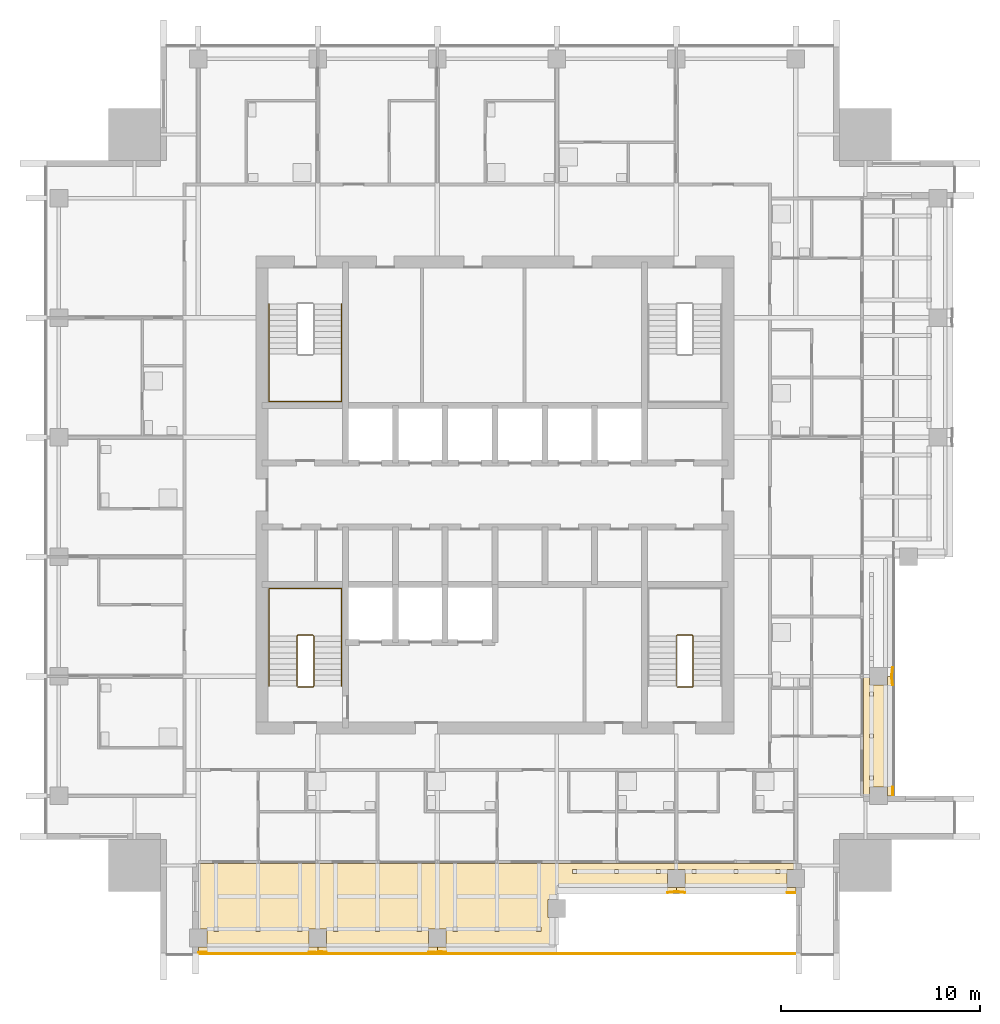
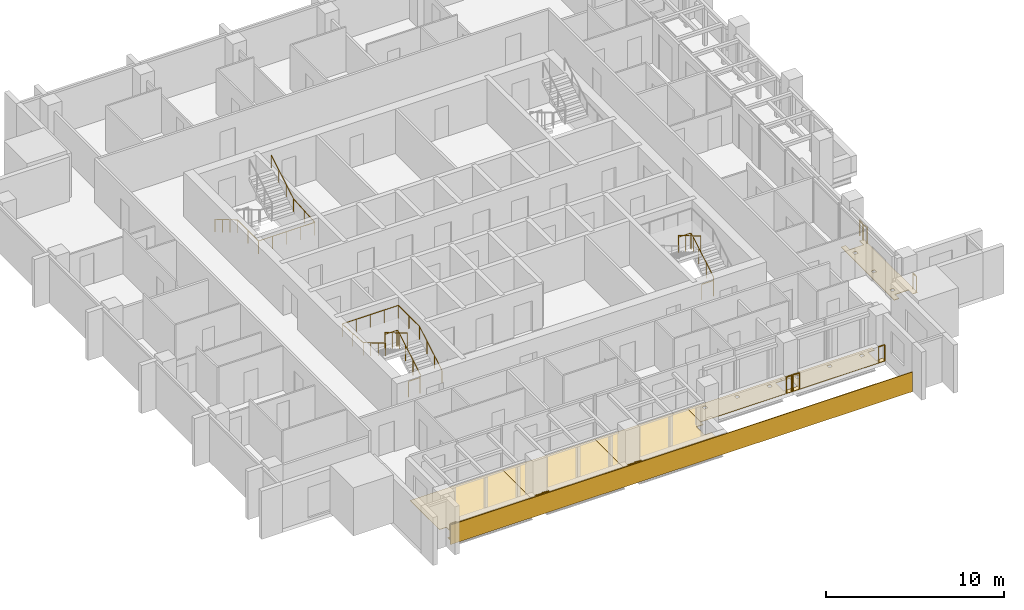
# One storey, part 15 of 17: 15 railings, 7 coverings.
"""IFC4 building model written with IfcOpenShell, lengths in metres."""

from ifc_helpers import new_model, si_unit, direction, frame, origin, origin_2d, place, context, subcontext, project, spatial, polyline, circle, outline, extrude, material, layer, layer_set, type_object, element, save


model = new_model("IFC4")

# Units and contexts
model_context = context("Model", 3, precision=1e-05, world=origin(), true_north=direction((0.0, 1.0)))
body_context = subcontext(model_context, "Body", "Model", "MODEL_VIEW")
ifc_project = project(units=[si_unit("LENGTHUNIT", "METRE"), si_unit("AREAUNIT", "SQUARE_METRE"), si_unit("VOLUMEUNIT", "CUBIC_METRE"), si_unit("PLANEANGLEUNIT", "RADIAN"), si_unit("MASSUNIT", "GRAM", prefix="KILO")], contexts=[model_context])

# Site, building, storey
site_placement = place(None, origin())
site = spatial("IfcSite", under=ifc_project, at=site_placement, CompositionType="ELEMENT")
building_placement = place(site_placement, origin())
building = spatial("IfcBuilding", under=site, at=building_placement, Name="Amberfall Residences", CompositionType="ELEMENT")
storey_placement = place(building_placement, frame((0.0, 0.0, 216.699951171875)))
storey = spatial("IfcBuildingStorey", under=building, at=storey_placement, Name="L58", CompositionType="ELEMENT", Elevation=216.699951171875)

# Coverings
ifc_material_1 = material(Name="Pale limestone cladding", Category="masonry")
ifc_layer_1 = layer(ifc_material_1, 0.050048828125)
ifc_layer_set_1 = layer_set([ifc_layer_1], Name="Limestone fascia 50")
covering_type_1 = type_object("IfcCoveringType", Name="Limestone fascia 50", PredefinedType="CLADDING", material=ifc_layer_set_1)
covering_1_placement = place(storey_placement, frame((0.0, 0.0, -0.25)))
element("IfcCovering", 1, at=covering_1_placement, inside=storey, type_object=covering_type_1, Name="Limestone terrace fascia L58 S1", PredefinedType="CLADDING", context=body_context, shape_type="SweptSolid", body=[
    extrude(outline(polyline([(59.60009765625, 22.5), (89.60009765625, 22.5), (89.60009765625, 22.449951171875), (59.60009765625, 22.449951171875), (59.60009765625, 22.5)])), origin(), (0.0, 0.0, 1.0), 1.35009765625),
])
ifc_material_2 = material(Name="Pale stone paving", Category="masonry")
ifc_layer_2 = layer(ifc_material_2, 0.030029296875)
ifc_layer_set_2 = layer_set([ifc_layer_2], Name="Pale stone paving 30")
covering_type_2 = type_object("IfcCoveringType", Name="Pale stone paving 30", PredefinedType="FLOORING", material=ifc_layer_set_2)
covering_2_placement = place(storey_placement, origin())
element("IfcCovering", 2, at=covering_2_placement, inside=storey, type_object=covering_type_2, Name="Pale stone paving L58 S1", PredefinedType="FLOORING", context=body_context, shape_type="SweptSolid", body=[
    extrude(outline(polyline([(65.60009765625, 22.5), (65.60009765625, 22.800048828125), (65.14990234375, 22.800048828125), (65.14990234375, 23.699951171875), (65.60009765625, 23.699951171875), (65.60009765625, 27.0), (59.60009765625, 27.0), (59.60009765625, 23.699951171875), (60.050048828125, 23.699951171875), (60.050048828125, 22.800048828125), (59.60009765625, 22.800048828125), (59.60009765625, 22.5), (65.60009765625, 22.5)]), holes=[polyline([(60.389892578125, 23.590087890625), (60.610107421875, 23.590087890625), (60.610107421875, 23.81005859375), (60.389892578125, 23.81005859375), (60.389892578125, 23.590087890625)]), polyline([(62.489990234375, 23.590087890625), (62.7099609375, 23.590087890625), (62.7099609375, 23.81005859375), (62.489990234375, 23.81005859375), (62.489990234375, 23.590087890625)]), polyline([(64.590087890625, 23.590087890625), (64.81005859375, 23.590087890625), (64.81005859375, 23.81005859375), (64.590087890625, 23.81005859375), (64.590087890625, 23.590087890625)])]), origin(), (0.0, 0.0, 1.0), 0.030029296875),
])
covering_3_placement = place(storey_placement, origin())
element("IfcCovering", 3, at=covering_3_placement, inside=storey, type_object=covering_type_2, Name="Pale stone paving L58 S2", PredefinedType="FLOORING", context=body_context, shape_type="SweptSolid", body=[
    extrude(outline(polyline([(71.60009765625, 22.5), (71.60009765625, 22.800048828125), (71.14990234375, 22.800048828125), (71.14990234375, 23.699951171875), (71.60009765625, 23.699951171875), (71.60009765625, 27.0), (65.60009765625, 27.0), (65.60009765625, 23.699951171875), (66.050048828125, 23.699951171875), (66.050048828125, 22.800048828125), (65.60009765625, 22.800048828125), (65.60009765625, 22.5), (71.60009765625, 22.5)]), holes=[polyline([(66.389892578125, 23.590087890625), (66.610107421875, 23.590087890625), (66.610107421875, 23.81005859375), (66.389892578125, 23.81005859375), (66.389892578125, 23.590087890625)]), polyline([(68.489990234375, 23.590087890625), (68.7099609375, 23.590087890625), (68.7099609375, 23.81005859375), (68.489990234375, 23.81005859375), (68.489990234375, 23.590087890625)]), polyline([(70.590087890625, 23.590087890625), (70.81005859375, 23.590087890625), (70.81005859375, 23.81005859375), (70.590087890625, 23.81005859375), (70.590087890625, 23.590087890625)])]), origin(), (0.0, 0.0, 1.0), 0.030029296875),
])
covering_4_placement = place(storey_placement, origin())
element("IfcCovering", 4, at=covering_4_placement, inside=storey, type_object=covering_type_2, Name="Pale stone paving L58 S3", PredefinedType="FLOORING", context=body_context, shape_type="SweptSolid", body=[
    extrude(outline(polyline([(77.60009765625, 22.5), (77.60009765625, 24.300048828125), (77.14990234375, 24.300048828125), (77.14990234375, 25.199951171875), (77.60009765625, 25.199951171875), (77.60009765625, 27.0), (71.60009765625, 27.0), (71.60009765625, 23.699951171875), (72.050048828125, 23.699951171875), (72.050048828125, 22.800048828125), (71.60009765625, 22.800048828125), (71.60009765625, 22.5), (77.60009765625, 22.5)]), holes=[polyline([(72.389892578125, 23.590087890625), (72.610107421875, 23.590087890625), (72.610107421875, 23.81005859375), (72.389892578125, 23.81005859375), (72.389892578125, 23.590087890625)]), polyline([(74.489990234375, 23.590087890625), (74.7099609375, 23.590087890625), (74.7099609375, 23.81005859375), (74.489990234375, 23.81005859375), (74.489990234375, 23.590087890625)]), polyline([(76.590087890625, 23.590087890625), (76.81005859375, 23.590087890625), (76.81005859375, 23.81005859375), (76.590087890625, 23.81005859375), (76.590087890625, 23.590087890625)])]), origin(), (0.0, 0.0, 1.0), 0.030029296875),
])
covering_5_placement = place(storey_placement, origin())
element("IfcCovering", 5, at=covering_5_placement, inside=storey, type_object=covering_type_2, Name="Pale stone paving L58 S4", PredefinedType="FLOORING", context=body_context, shape_type="SweptSolid", body=[
    extrude(outline(polyline([(83.60009765625, 27.0), (77.60009765625, 27.0), (77.60009765625, 25.5), (83.60009765625, 25.5), (83.60009765625, 25.800048828125), (83.14990234375, 25.800048828125), (83.14990234375, 26.699951171875), (83.60009765625, 26.699951171875), (83.60009765625, 27.0)]), holes=[polyline([(78.389892578125, 26.489990234375), (78.610107421875, 26.489990234375), (78.610107421875, 26.7099609375), (78.389892578125, 26.7099609375), (78.389892578125, 26.489990234375)]), polyline([(80.489990234375, 26.489990234375), (80.7099609375, 26.489990234375), (80.7099609375, 26.7099609375), (80.489990234375, 26.7099609375), (80.489990234375, 26.489990234375)]), polyline([(82.590087890625, 26.489990234375), (82.81005859375, 26.489990234375), (82.81005859375, 26.7099609375), (82.590087890625, 26.7099609375), (82.590087890625, 26.489990234375)])]), origin(), (0.0, 0.0, 1.0), 0.030029296875),
])
covering_6_placement = place(storey_placement, origin())
element("IfcCovering", 6, at=covering_6_placement, inside=storey, type_object=covering_type_2, Name="Pale stone paving L58 S5", PredefinedType="FLOORING", context=body_context, shape_type="SweptSolid", body=[
    extrude(outline(polyline([(89.60009765625, 27.0), (83.60009765625, 27.0), (83.60009765625, 26.699951171875), (84.050048828125, 26.699951171875), (84.050048828125, 25.800048828125), (83.60009765625, 25.800048828125), (83.60009765625, 25.5), (89.60009765625, 25.5), (89.60009765625, 25.800048828125), (89.14990234375, 25.800048828125), (89.14990234375, 26.699951171875), (89.60009765625, 26.699951171875), (89.60009765625, 27.0)]), holes=[polyline([(84.389892578125, 26.489990234375), (84.610107421875, 26.489990234375), (84.610107421875, 26.7099609375), (84.389892578125, 26.7099609375), (84.389892578125, 26.489990234375)]), polyline([(86.489990234375, 26.489990234375), (86.7099609375, 26.489990234375), (86.7099609375, 26.7099609375), (86.489990234375, 26.7099609375), (86.489990234375, 26.489990234375)]), polyline([(88.590087890625, 26.489990234375), (88.81005859375, 26.489990234375), (88.81005859375, 26.7099609375), (88.590087890625, 26.7099609375), (88.590087890625, 26.489990234375)])]), origin(), (0.0, 0.0, 1.0), 0.030029296875),
])
covering_7_placement = place(storey_placement, origin())
element("IfcCovering", 7, at=covering_7_placement, inside=storey, type_object=covering_type_2, Name="Pale stone paving L58 E1", PredefinedType="FLOORING", context=body_context, shape_type="SweptSolid", body=[
    extrude(outline(polyline([(93.0, 36.39990234375), (93.0, 30.39990234375), (93.300048828125, 30.39990234375), (93.300048828125, 30.85009765625), (94.199951171875, 30.85009765625), (94.199951171875, 30.39990234375), (94.5, 30.39990234375), (94.5, 36.39990234375), (94.199951171875, 36.39990234375), (94.199951171875, 35.949951171875), (93.300048828125, 35.949951171875), (93.300048828125, 36.39990234375), (93.0, 36.39990234375)]), holes=[polyline([(93.2900390625, 31.18994140625), (93.510009765625, 31.18994140625), (93.510009765625, 31.409912109375), (93.2900390625, 31.409912109375), (93.2900390625, 31.18994140625)]), polyline([(93.2900390625, 33.2900390625), (93.510009765625, 33.2900390625), (93.510009765625, 33.510009765625), (93.2900390625, 33.510009765625), (93.2900390625, 33.2900390625)]), polyline([(93.2900390625, 35.389892578125), (93.510009765625, 35.389892578125), (93.510009765625, 35.610107421875), (93.2900390625, 35.610107421875), (93.2900390625, 35.389892578125)])]), origin(), (0.0, 0.0, 1.0), 0.030029296875),
])

# Railings
ifc_material_3 = material(Name="Stainless steel 316", Category="steel")
railing_type_1 = type_object("IfcRailingType", Name="Stair guard 1100", PredefinedType="GUARDRAIL", material=ifc_material_3)
railing_1_placement = place(storey_placement, frame((64.60009765625, 35.85009765625, 0.0)))
element("IfcRailing", 8, at=railing_1_placement, inside=storey, type_object=railing_type_1, Name="L58 stair 1 guard", PredefinedType="GUARDRAIL", context=body_context, shape_type="SweptSolid", body=[
    extrude(circle(Radius=0.02392578125, at=origin_2d()), frame((0.0, 0.0, 1.076171875), z_axis=(1.0, 0.0, 0.0), x_axis=(0.0, 1.0, 0.0)), (0.0, 0.0, 1.0), 0.75),
    extrude(circle(Radius=0.02392578125, at=origin_2d()), frame((0.75, 0.0, 1.076171875), z_axis=(0.27755538755, 0.27755538755, 0.919742362667), x_axis=(-0.707106781187, 0.707106781187, 0.0)), (0.0, 0.0, 1.0), 0.179443359375),
    extrude(circle(Radius=0.02392578125, at=origin_2d()), frame((0.7998046875, 0.0498046875, 1.2412109375), z_axis=(0.0, 0.86152411907, 0.507716645641), x_axis=(-1.0, 0.0, 0.0)), (0.0, 0.0, 1.0), 2.925048828125),
    extrude(circle(Radius=0.02392578125, at=origin_2d()), frame((0.7998046875, 2.56982421875, 2.72607421875), z_axis=(-0.705375805398, 0.708833529934, 0.0), x_axis=(-0.708833529934, -0.705375805398, 0.0)), (0.0, 0.0, 1.0), 0.070556640625),
    extrude(circle(Radius=0.02392578125, at=origin_2d()), frame((0.75, 2.619873046875, 2.72607421875), z_axis=(-1.0, 0.0, 0.0), x_axis=(0.0, -1.0, 0.0)), (0.0, 0.0, 1.0), 0.75),
    extrude(circle(Radius=0.02392578125, at=origin_2d()), frame((0.0, 2.619873046875, 2.72607421875), z_axis=(-0.279053652268, -0.279053652268, 0.918835196492), x_axis=(0.707106781187, -0.707106781187, 0.0)), (0.0, 0.0, 1.0), 0.179443359375),
    extrude(circle(Radius=0.02392578125, at=origin_2d()), frame((-0.050048828125, 2.56982421875, 2.89111328125), z_axis=(0.0, -0.86152411907, 0.507716645641), x_axis=(1.0, 0.0, 0.0)), (0.0, 0.0, 1.0), 2.925048828125),
    extrude(circle(Radius=0.02099609375, at=origin_2d()), origin(), (0.0, 0.0, 1.0), 1.052001953125),
    extrude(circle(Radius=0.02099609375, at=origin_2d()), frame((0.75, 0.0, 0.0)), (0.0, 0.0, 1.0), 1.052001953125),
    extrude(circle(Radius=0.02099609375, at=origin_2d()), frame((0.7998046875, 0.0498046875, 0.1650390625)), (0.0, 0.0, 1.0), 1.052001953125),
    extrude(circle(Radius=0.02099609375, at=origin_2d()), frame((0.7998046875, 0.889892578125, 0.66015625)), (0.0, 0.0, 1.0), 1.052001953125),
    extrude(circle(Radius=0.02099609375, at=origin_2d()), frame((0.7998046875, 1.729736328125, 1.155029296875)), (0.0, 0.0, 1.0), 1.052001953125),
    extrude(circle(Radius=0.02099609375, at=origin_2d()), frame((0.7998046875, 2.56982421875, 1.650146484375)), (0.0, 0.0, 1.0), 1.052001953125),
    extrude(circle(Radius=0.02099609375, at=origin_2d()), frame((0.75, 2.619873046875, 1.650146484375)), (0.0, 0.0, 1.0), 1.052001953125),
    extrude(circle(Radius=0.02099609375, at=origin_2d()), frame((0.0, 2.619873046875, 1.650146484375)), (0.0, 0.0, 1.0), 1.052001953125),
    extrude(circle(Radius=0.02099609375, at=origin_2d()), frame((-0.050048828125, 2.56982421875, 1.81494140625)), (0.0, 0.0, 1.0), 1.052001953125),
    extrude(circle(Radius=0.02099609375, at=origin_2d()), frame((-0.050048828125, 1.729736328125, 2.31005859375)), (0.0, 0.0, 1.0), 1.052001953125),
    extrude(circle(Radius=0.02099609375, at=origin_2d()), frame((-0.050048828125, 0.889892578125, 2.804931640625)), (0.0, 0.0, 1.0), 1.052001953125),
    extrude(circle(Radius=0.02099609375, at=origin_2d()), frame((-0.050048828125, 0.0498046875, 3.300048828125)), (0.0, 0.0, 1.0), 1.052001953125),
])
railing_2_placement = place(storey_placement, frame((83.64990234375, 35.85009765625, 0.0)))
element("IfcRailing", 9, at=railing_2_placement, inside=storey, type_object=railing_type_1, Name="L58 stair 2 guard", PredefinedType="GUARDRAIL", context=body_context, shape_type="SweptSolid", body=[
    extrude(circle(Radius=0.02392578125, at=origin_2d()), frame((0.0, 0.0, 1.076171875), z_axis=(1.0, 0.0, 0.0), x_axis=(0.0, 1.0, 0.0)), (0.0, 0.0, 1.0), 0.75),
    extrude(circle(Radius=0.02392578125, at=origin_2d()), frame((0.75, 0.0, 1.076171875), z_axis=(0.278810427259, 0.277450376394, 0.919394384522), x_axis=(-0.705375805398, 0.708833529934, 0.0)), (0.0, 0.0, 1.0), 0.179443359375),
    extrude(circle(Radius=0.02392578125, at=origin_2d()), frame((0.800048828125, 0.0498046875, 1.2412109375), z_axis=(0.0, 0.86152411907, 0.507716645641), x_axis=(-1.0, 0.0, 0.0)), (0.0, 0.0, 1.0), 2.925048828125),
    extrude(circle(Radius=0.02392578125, at=origin_2d()), frame((0.800048828125, 2.56982421875, 2.72607421875), z_axis=(-0.707106781187, 0.707106781187, 0.0), x_axis=(-0.707106781187, -0.707106781187, 0.0)), (0.0, 0.0, 1.0), 0.07080078125),
    extrude(circle(Radius=0.02392578125, at=origin_2d()), frame((0.75, 2.619873046875, 2.72607421875), z_axis=(-1.0, 0.0, 0.0), x_axis=(0.0, -1.0, 0.0)), (0.0, 0.0, 1.0), 0.75),
    extrude(circle(Radius=0.02392578125, at=origin_2d()), frame((0.0, 2.619873046875, 2.72607421875), z_axis=(-0.277797701265, -0.279159454702, 0.919183570361), x_axis=(0.708833529934, -0.705375805398, 0.0)), (0.0, 0.0, 1.0), 0.17919921875),
    extrude(circle(Radius=0.02392578125, at=origin_2d()), frame((-0.0498046875, 2.56982421875, 2.89111328125), z_axis=(0.0, -0.86152411907, 0.507716645641), x_axis=(1.0, 0.0, 0.0)), (0.0, 0.0, 1.0), 2.925048828125),
    extrude(circle(Radius=0.02099609375, at=origin_2d()), origin(), (0.0, 0.0, 1.0), 1.052001953125),
    extrude(circle(Radius=0.02099609375, at=origin_2d()), frame((0.75, 0.0, 0.0)), (0.0, 0.0, 1.0), 1.052001953125),
    extrude(circle(Radius=0.02099609375, at=origin_2d()), frame((0.800048828125, 0.0498046875, 0.1650390625)), (0.0, 0.0, 1.0), 1.052001953125),
    extrude(circle(Radius=0.02099609375, at=origin_2d()), frame((0.800048828125, 0.889892578125, 0.66015625)), (0.0, 0.0, 1.0), 1.052001953125),
    extrude(circle(Radius=0.02099609375, at=origin_2d()), frame((0.800048828125, 1.729736328125, 1.155029296875)), (0.0, 0.0, 1.0), 1.052001953125),
    extrude(circle(Radius=0.02099609375, at=origin_2d()), frame((0.800048828125, 2.56982421875, 1.650146484375)), (0.0, 0.0, 1.0), 1.052001953125),
    extrude(circle(Radius=0.02099609375, at=origin_2d()), frame((0.75, 2.619873046875, 1.650146484375)), (0.0, 0.0, 1.0), 1.052001953125),
    extrude(circle(Radius=0.02099609375, at=origin_2d()), frame((0.0, 2.619873046875, 1.650146484375)), (0.0, 0.0, 1.0), 1.052001953125),
    extrude(circle(Radius=0.02099609375, at=origin_2d()), frame((-0.0498046875, 2.56982421875, 1.81494140625)), (0.0, 0.0, 1.0), 1.052001953125),
    extrude(circle(Radius=0.02099609375, at=origin_2d()), frame((-0.0498046875, 1.729736328125, 2.31005859375)), (0.0, 0.0, 1.0), 1.052001953125),
    extrude(circle(Radius=0.02099609375, at=origin_2d()), frame((-0.0498046875, 0.889892578125, 2.804931640625)), (0.0, 0.0, 1.0), 1.052001953125),
    extrude(circle(Radius=0.02099609375, at=origin_2d()), frame((-0.0498046875, 0.0498046875, 3.300048828125)), (0.0, 0.0, 1.0), 1.052001953125),
])
railing_type_2 = type_object("IfcRailingType", Name="Stair handrail 900", PredefinedType="HANDRAIL", material=ifc_material_3)
railing_3_placement = place(storey_placement, frame((66.800048828125, 35.89990234375, 0.1650390625)))
element("IfcRailing", 10, at=railing_3_placement, inside=storey, type_object=railing_type_2, Name="L58 stair 1 handrail", PredefinedType="HANDRAIL", context=body_context, shape_type="SweptSolid", body=[
    extrude(circle(Radius=0.02392578125, at=origin_2d()), frame((0.0, 0.0, 0.8759765625), z_axis=(0.0, 0.86152411907, 0.507716645641), x_axis=(-1.0, 0.0, 0.0)), (0.0, 0.0, 1.0), 2.925048828125),
    extrude(circle(Radius=0.02392578125, at=origin_2d()), frame((0.0, 2.52001953125, 2.36083984375), z_axis=(0.0, 1.0, 0.0), x_axis=(-1.0, 0.0, 0.0)), (0.0, 0.0, 1.0), 2.380126953125),
    extrude(circle(Radius=0.02392578125, at=origin_2d()), frame((0.0, 4.900146484375, 2.36083984375), z_axis=(-1.0, 0.0, 0.0), x_axis=(0.0, -1.0, 0.0)), (0.0, 0.0, 1.0), 3.650146484375),
    extrude(circle(Radius=0.02392578125, at=origin_2d()), frame((-3.650146484375, 4.900146484375, 2.36083984375), z_axis=(0.0, -0.997611642348, 0.069072505753), x_axis=(1.0, 0.0, 0.0)), (0.0, 0.0, 1.0), 2.3857421875),
    extrude(circle(Radius=0.02392578125, at=origin_2d()), frame((-3.650146484375, 2.52001953125, 2.52587890625), z_axis=(0.0, -0.86152411907, 0.507716645641), x_axis=(1.0, 0.0, 0.0)), (0.0, 0.0, 1.0), 2.925048828125),
    extrude(circle(Radius=0.02099609375, at=origin_2d()), origin(), (0.0, 0.0, 1.0), 0.851806640625),
    extrude(circle(Radius=0.02099609375, at=origin_2d()), frame((0.0, 0.840087890625, 0.4951171875)), (0.0, 0.0, 1.0), 0.851806640625),
    extrude(circle(Radius=0.02099609375, at=origin_2d()), frame((0.0, 1.679931640625, 0.989990234375)), (0.0, 0.0, 1.0), 0.851806640625),
    extrude(circle(Radius=0.02099609375, at=origin_2d()), frame((0.0, 2.52001953125, 1.485107421875)), (0.0, 0.0, 1.0), 0.851806640625),
    extrude(circle(Radius=0.02099609375, at=origin_2d()), frame((0.0, 3.7099609375, 1.485107421875)), (0.0, 0.0, 1.0), 0.851806640625),
    extrude(circle(Radius=0.02099609375, at=origin_2d()), frame((0.0, 4.900146484375, 1.485107421875)), (0.0, 0.0, 1.0), 0.851806640625),
    extrude(circle(Radius=0.02099609375, at=origin_2d()), frame((-0.91259765625, 4.900146484375, 1.485107421875)), (0.0, 0.0, 1.0), 0.851806640625),
    extrude(circle(Radius=0.02099609375, at=origin_2d()), frame((-1.8251953125, 4.900146484375, 1.485107421875)), (0.0, 0.0, 1.0), 0.851806640625),
    extrude(circle(Radius=0.02099609375, at=origin_2d()), frame((-2.737548828125, 4.900146484375, 1.485107421875)), (0.0, 0.0, 1.0), 0.851806640625),
    extrude(circle(Radius=0.02099609375, at=origin_2d()), frame((-3.650146484375, 4.900146484375, 1.485107421875)), (0.0, 0.0, 1.0), 0.851806640625),
    extrude(circle(Radius=0.02099609375, at=origin_2d()), frame((-3.650146484375, 3.7099609375, 1.5673828125)), (0.0, 0.0, 1.0), 0.851806640625),
    extrude(circle(Radius=0.02099609375, at=origin_2d()), frame((-3.650146484375, 2.52001953125, 1.64990234375)), (0.0, 0.0, 1.0), 0.851806640625),
    extrude(circle(Radius=0.02099609375, at=origin_2d()), frame((-3.650146484375, 1.679931640625, 2.14501953125)), (0.0, 0.0, 1.0), 0.851806640625),
    extrude(circle(Radius=0.02099609375, at=origin_2d()), frame((-3.650146484375, 0.840087890625, 2.639892578125)), (0.0, 0.0, 1.0), 0.851806640625),
    extrude(circle(Radius=0.02099609375, at=origin_2d()), frame((-3.650146484375, 0.0, 3.135009765625)), (0.0, 0.0, 1.0), 0.851806640625),
])
railing_4_placement = place(storey_placement, frame((63.14990234375, 55.10009765625, 0.1650390625)))
element("IfcRailing", 11, at=railing_4_placement, inside=storey, type_object=railing_type_2, Name="L58 stair 4 handrail", PredefinedType="HANDRAIL", context=body_context, shape_type="SweptSolid", body=[
    extrude(circle(Radius=0.02392578125, at=origin_2d()), frame((0.0, 0.0, 0.8759765625), z_axis=(0.0, -0.86152411907, 0.507716645641), x_axis=(1.0, 0.0, 0.0)), (0.0, 0.0, 1.0), 2.925048828125),
    extrude(circle(Radius=0.02392578125, at=origin_2d()), frame((0.0, -2.52001953125, 2.36083984375), z_axis=(0.0, -1.0, 0.0), x_axis=(1.0, 0.0, 0.0)), (0.0, 0.0, 1.0), 2.380126953125),
    extrude(circle(Radius=0.02392578125, at=origin_2d()), frame((0.0, -4.900146484375, 2.36083984375), z_axis=(1.0, 0.0, 0.0), x_axis=(0.0, 1.0, 0.0)), (0.0, 0.0, 1.0), 3.650146484375),
    extrude(circle(Radius=0.02392578125, at=origin_2d()), frame((3.650146484375, -4.900146484375, 2.36083984375), z_axis=(0.0, 0.997611642348, 0.069072505753), x_axis=(-1.0, 0.0, 0.0)), (0.0, 0.0, 1.0), 2.3857421875),
    extrude(circle(Radius=0.02392578125, at=origin_2d()), frame((3.650146484375, -2.52001953125, 2.52587890625), z_axis=(0.0, 0.86152411907, 0.507716645641), x_axis=(-1.0, 0.0, 0.0)), (0.0, 0.0, 1.0), 2.925048828125),
    extrude(circle(Radius=0.02099609375, at=origin_2d()), origin(), (0.0, 0.0, 1.0), 0.851806640625),
    extrude(circle(Radius=0.02099609375, at=origin_2d()), frame((0.0, -0.840087890625, 0.4951171875)), (0.0, 0.0, 1.0), 0.851806640625),
    extrude(circle(Radius=0.02099609375, at=origin_2d()), frame((0.0, -1.679931640625, 0.989990234375)), (0.0, 0.0, 1.0), 0.851806640625),
    extrude(circle(Radius=0.02099609375, at=origin_2d()), frame((0.0, -2.52001953125, 1.485107421875)), (0.0, 0.0, 1.0), 0.851806640625),
    extrude(circle(Radius=0.02099609375, at=origin_2d()), frame((0.0, -3.7099609375, 1.485107421875)), (0.0, 0.0, 1.0), 0.851806640625),
    extrude(circle(Radius=0.02099609375, at=origin_2d()), frame((0.0, -4.900146484375, 1.485107421875)), (0.0, 0.0, 1.0), 0.851806640625),
    extrude(circle(Radius=0.02099609375, at=origin_2d()), frame((0.91259765625, -4.900146484375, 1.485107421875)), (0.0, 0.0, 1.0), 0.851806640625),
    extrude(circle(Radius=0.02099609375, at=origin_2d()), frame((1.8251953125, -4.900146484375, 1.485107421875)), (0.0, 0.0, 1.0), 0.851806640625),
    extrude(circle(Radius=0.02099609375, at=origin_2d()), frame((2.737548828125, -4.900146484375, 1.485107421875)), (0.0, 0.0, 1.0), 0.851806640625),
    extrude(circle(Radius=0.02099609375, at=origin_2d()), frame((3.650146484375, -4.900146484375, 1.485107421875)), (0.0, 0.0, 1.0), 0.851806640625),
    extrude(circle(Radius=0.02099609375, at=origin_2d()), frame((3.650146484375, -3.7099609375, 1.5673828125)), (0.0, 0.0, 1.0), 0.851806640625),
    extrude(circle(Radius=0.02099609375, at=origin_2d()), frame((3.650146484375, -2.52001953125, 1.64990234375)), (0.0, 0.0, 1.0), 0.851806640625),
    extrude(circle(Radius=0.02099609375, at=origin_2d()), frame((3.650146484375, -1.679931640625, 2.14501953125)), (0.0, 0.0, 1.0), 0.851806640625),
    extrude(circle(Radius=0.02099609375, at=origin_2d()), frame((3.650146484375, -0.840087890625, 2.639892578125)), (0.0, 0.0, 1.0), 0.851806640625),
    extrude(circle(Radius=0.02099609375, at=origin_2d()), frame((3.650146484375, 0.0, 3.135009765625)), (0.0, 0.0, 1.0), 0.851806640625),
])
ifc_material_4 = material(Name="Bronze anodised aluminium and laminated glass", Category="aluminium")
railing_type_3 = type_object("IfcRailingType", Name="Terrace edge guard 1100", PredefinedType="GUARDRAIL", material=ifc_material_4)
railing_5_placement = place(storey_placement, frame((59.630615234375, 22.531494140625, 0.030029296875)))
element("IfcRailing", 12, at=railing_5_placement, inside=storey, type_object=railing_type_3, Name="Terrace guard L58 S1", PredefinedType="GUARDRAIL", context=body_context, shape_type="SweptSolid", body=[
    extrude(circle(Radius=0.02392578125, at=origin_2d()), frame((0.0, 0.0, 1.076171875), z_axis=(0.999755047003, 0.022132464671, 0.0), x_axis=(-0.022132464671, 0.999755047003, 0.0)), (0.0, 0.0, 1.0), 0.385986328125),
    extrude(circle(Radius=0.02099609375, at=origin_2d()), origin(), (0.0, 0.0, 1.0), 1.052001953125),
    extrude(circle(Radius=0.02099609375, at=origin_2d()), frame((0.385986328125, 0.008544921875, 0.0)), (0.0, 0.0, 1.0), 1.052001953125),
])
railing_6_placement = place(storey_placement, frame((65.1689453125, 22.5400390625, 0.030029296875)))
element("IfcRailing", 13, at=railing_6_placement, inside=storey, type_object=railing_type_3, Name="Terrace guard L58 S1", PredefinedType="GUARDRAIL", context=body_context, shape_type="SweptSolid", body=[
    extrude(circle(Radius=0.02392578125, at=origin_2d()), frame((0.0, 0.0, 1.076171875), z_axis=(0.999672659749, -0.025584631117, 0.0), x_axis=(0.025584631117, 0.999672659749, 0.0)), (0.0, 0.0, 1.0), 0.391357421875),
    extrude(circle(Radius=0.02099609375, at=origin_2d()), origin(), (0.0, 0.0, 1.0), 1.052001953125),
    extrude(circle(Radius=0.02099609375, at=origin_2d()), frame((0.39111328125, -0.010009765625, 0.0)), (0.0, 0.0, 1.0), 1.052001953125),
])
railing_7_placement = place(storey_placement, frame((65.639892578125, 22.580078125, 0.030029296875)))
element("IfcRailing", 14, at=railing_7_placement, inside=storey, type_object=railing_type_3, Name="Terrace guard L58 S2", PredefinedType="GUARDRAIL", context=body_context, shape_type="SweptSolid", body=[
    extrude(circle(Radius=0.02392578125, at=origin_2d()), frame((0.0, 0.0, 1.076171875), z_axis=(0.994774956318, -0.102092048083, 0.0), x_axis=(0.102092048083, 0.994774956318, 0.0)), (0.0, 0.0, 1.0), 0.39208984375),
    extrude(circle(Radius=0.02099609375, at=origin_2d()), origin(), (0.0, 0.0, 1.0), 1.052001953125),
    extrude(circle(Radius=0.02099609375, at=origin_2d()), frame((0.39013671875, -0.0400390625, 0.0)), (0.0, 0.0, 1.0), 1.052001953125),
])
railing_8_placement = place(storey_placement, frame((71.169921875, 22.5400390625, 0.030029296875)))
element("IfcRailing", 15, at=railing_8_placement, inside=storey, type_object=railing_type_3, Name="Terrace guard L58 S2", PredefinedType="GUARDRAIL", context=body_context, shape_type="SweptSolid", body=[
    extrude(circle(Radius=0.02392578125, at=origin_2d()), frame((0.0, 0.0, 1.076171875), z_axis=(0.999671019758, -0.02564863067, 0.0), x_axis=(0.02564863067, 0.999671019758, 0.0)), (0.0, 0.0, 1.0), 0.390380859375),
    extrude(circle(Radius=0.02099609375, at=origin_2d()), origin(), (0.0, 0.0, 1.0), 1.052001953125),
    extrude(circle(Radius=0.02099609375, at=origin_2d()), frame((0.39013671875, -0.010009765625, 0.0)), (0.0, 0.0, 1.0), 1.052001953125),
])
railing_9_placement = place(storey_placement, frame((71.639892578125, 22.580078125, 0.030029296875)))
element("IfcRailing", 16, at=railing_9_placement, inside=storey, type_object=railing_type_3, Name="Terrace guard L58 S3", PredefinedType="GUARDRAIL", context=body_context, shape_type="SweptSolid", body=[
    extrude(circle(Radius=0.02392578125, at=origin_2d()), frame((0.0, 0.0, 1.076171875), z_axis=(0.994774956318, -0.102092048083, 0.0), x_axis=(0.102092048083, 0.994774956318, 0.0)), (0.0, 0.0, 1.0), 0.39208984375),
    extrude(circle(Radius=0.02099609375, at=origin_2d()), origin(), (0.0, 0.0, 1.0), 1.052001953125),
    extrude(circle(Radius=0.02099609375, at=origin_2d()), frame((0.39013671875, -0.0400390625, 0.0)), (0.0, 0.0, 1.0), 1.052001953125),
])
railing_10_placement = place(storey_placement, frame((83.56005859375, 25.580078125, 0.030029296875)))
element("IfcRailing", 17, at=railing_10_placement, inside=storey, type_object=railing_type_3, Name="Terrace guard L58 S4", PredefinedType="GUARDRAIL", context=body_context, shape_type="SweptSolid", body=[
    extrude(circle(Radius=0.02392578125, at=origin_2d()), frame((0.0, 0.0, 1.076171875), z_axis=(-0.994774956318, -0.102092048083, 0.0), x_axis=(0.102092048083, -0.994774956318, 0.0)), (0.0, 0.0, 1.0), 0.39208984375),
    extrude(circle(Radius=0.02099609375, at=origin_2d()), origin(), (0.0, 0.0, 1.0), 1.052001953125),
    extrude(circle(Radius=0.02099609375, at=origin_2d()), frame((-0.39013671875, -0.0400390625, 0.0)), (0.0, 0.0, 1.0), 1.052001953125),
])
railing_11_placement = place(storey_placement, frame((89.564208984375, 25.536865234375, 0.030029296875)))
element("IfcRailing", 18, at=railing_11_placement, inside=storey, type_object=railing_type_3, Name="Terrace guard L58 S5", PredefinedType="GUARDRAIL", context=body_context, shape_type="SweptSolid", body=[
    extrude(circle(Radius=0.02392578125, at=origin_2d()), frame((0.0, 0.0, 1.076171875), z_axis=(-0.999967604063, 0.008049274831, 0.0), x_axis=(-0.008049274831, -0.999967604063, 0.0)), (0.0, 0.0, 1.0), 0.394287109375),
    extrude(circle(Radius=0.02099609375, at=origin_2d()), origin(), (0.0, 0.0, 1.0), 1.052001953125),
    extrude(circle(Radius=0.02099609375, at=origin_2d()), frame((-0.394287109375, 0.003173828125, 0.0)), (0.0, 0.0, 1.0), 1.052001953125),
])
railing_12_placement = place(storey_placement, frame((84.030029296875, 25.5400390625, 0.030029296875)))
element("IfcRailing", 19, at=railing_12_placement, inside=storey, type_object=railing_type_3, Name="Terrace guard L58 S5", PredefinedType="GUARDRAIL", context=body_context, shape_type="SweptSolid", body=[
    extrude(circle(Radius=0.02392578125, at=origin_2d()), frame((0.0, 0.0, 1.076171875), z_axis=(-0.994774956318, 0.102092048083, 0.0), x_axis=(-0.102092048083, -0.994774956318, 0.0)), (0.0, 0.0, 1.0), 0.39208984375),
    extrude(circle(Radius=0.02099609375, at=origin_2d()), origin(), (0.0, 0.0, 1.0), 1.052001953125),
    extrude(circle(Radius=0.02099609375, at=origin_2d()), frame((-0.39013671875, 0.0400390625, 0.0)), (0.0, 0.0, 1.0), 1.052001953125),
])
railing_13_placement = place(storey_placement, frame((94.419921875, 36.360107421875, 0.030029296875)))
element("IfcRailing", 20, at=railing_13_placement, inside=storey, type_object=railing_type_3, Name="Terrace guard L58 E1", PredefinedType="GUARDRAIL", context=body_context, shape_type="SweptSolid", body=[
    extrude(circle(Radius=0.02392578125, at=origin_2d()), frame((0.0, 0.0, 1.076171875), z_axis=(0.102092048083, -0.994774956318, 0.0), x_axis=(0.994774956318, 0.102092048083, 0.0)), (0.0, 0.0, 1.0), 0.39208984375),
    extrude(circle(Radius=0.02099609375, at=origin_2d()), origin(), (0.0, 0.0, 1.0), 1.052001953125),
    extrude(circle(Radius=0.02099609375, at=origin_2d()), frame((0.0400390625, -0.39013671875, 0.0)), (0.0, 0.0, 1.0), 1.052001953125),
])
railing_14_placement = place(storey_placement, frame((94.4599609375, 30.830078125, 0.030029296875)))
element("IfcRailing", 21, at=railing_14_placement, inside=storey, type_object=railing_type_3, Name="Terrace guard L58 E1", PredefinedType="GUARDRAIL", context=body_context, shape_type="SweptSolid", body=[
    extrude(circle(Radius=0.02392578125, at=origin_2d()), frame((0.0, 0.0, 1.076171875), z_axis=(0.008049274831, -0.999967604063, 0.0), x_axis=(0.999967604063, 0.008049274831, 0.0)), (0.0, 0.0, 1.0), 0.394287109375),
    extrude(circle(Radius=0.02099609375, at=origin_2d()), origin(), (0.0, 0.0, 1.0), 1.052001953125),
    extrude(circle(Radius=0.02099609375, at=origin_2d()), frame((0.003173828125, -0.394287109375, 0.0)), (0.0, 0.0, 1.0), 1.052001953125),
])
railing_15_placement = place(storey_placement, frame((94.4599609375, 36.830078125, 0.030029296875)))
element("IfcRailing", 22, at=railing_15_placement, inside=storey, type_object=railing_type_3, Name="Terrace guard L58 E2", PredefinedType="GUARDRAIL", context=body_context, shape_type="SweptSolid", body=[
    extrude(circle(Radius=0.02392578125, at=origin_2d()), frame((0.0, 0.0, 1.076171875), z_axis=(-0.102092048083, -0.994774956318, 0.0), x_axis=(0.994774956318, -0.102092048083, 0.0)), (0.0, 0.0, 1.0), 0.39208984375),
    extrude(circle(Radius=0.02099609375, at=origin_2d()), origin(), (0.0, 0.0, 1.0), 1.052001953125),
    extrude(circle(Radius=0.02099609375, at=origin_2d()), frame((-0.0400390625, -0.39013671875, 0.0)), (0.0, 0.0, 1.0), 1.052001953125),
])

save(model, "model.ifc")
